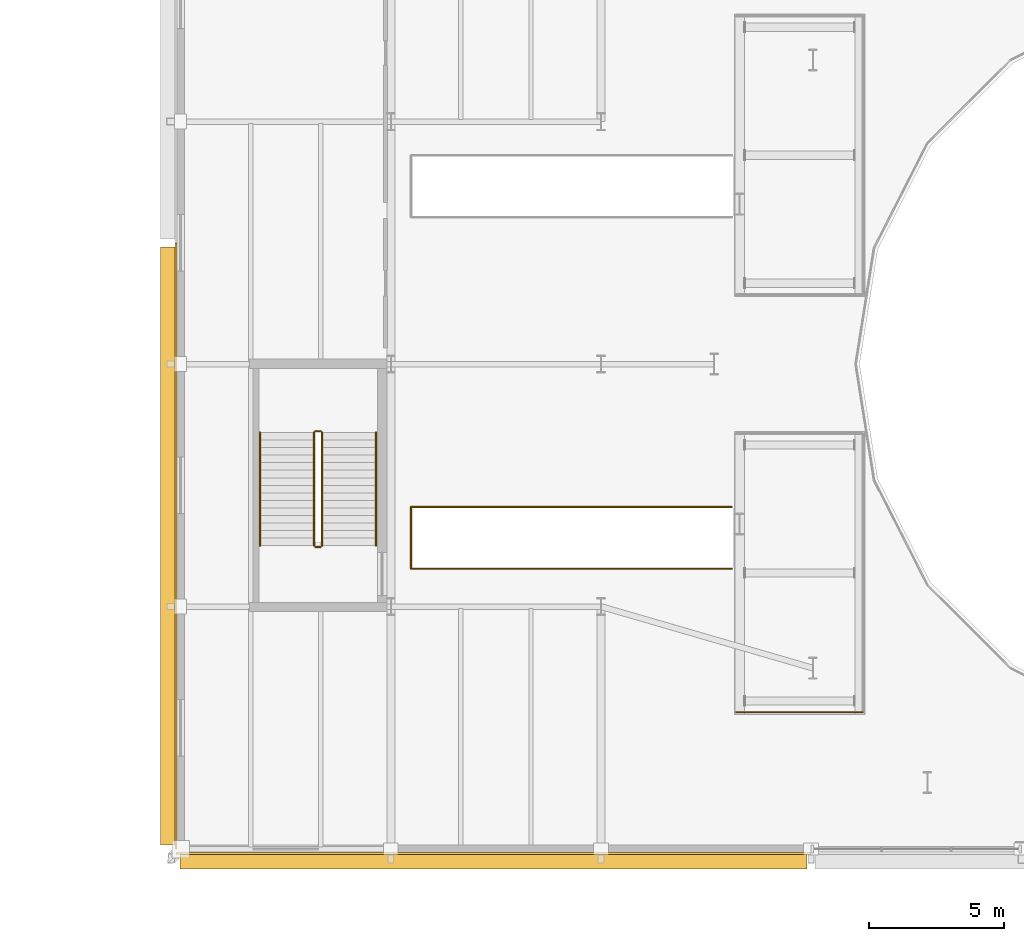
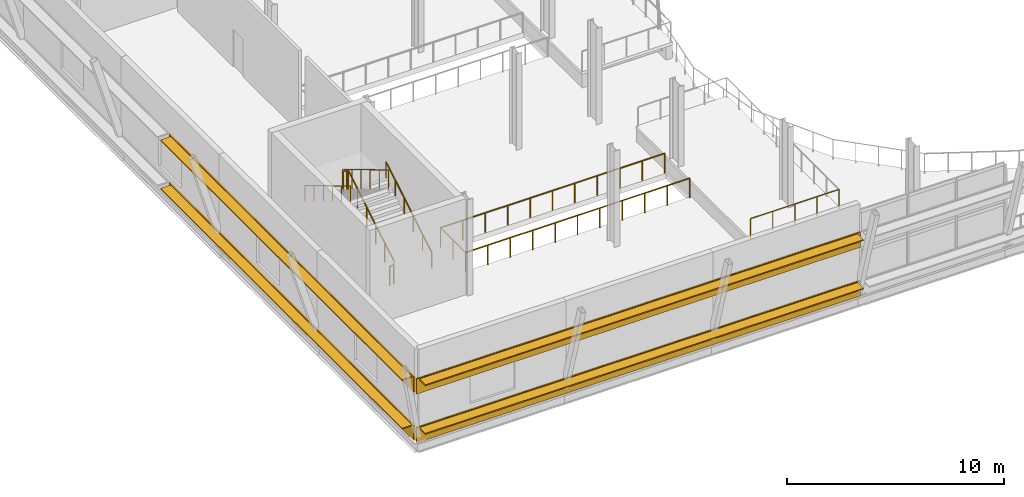
# One storey, part 62 of 78: 10 railings, 4 coverings, 4 shading devices.
"""IFC4 building model written with IfcOpenShell, lengths in metres."""

from ifc_helpers import new_model, si_unit, direction, frame, origin, origin_2d, place, context, subcontext, project, spatial, rectangle, circle, extrude, material, layer, layer_set, type_object, element, save


model = new_model("IFC4")

# Units and contexts
model_context = context("Model", 3, precision=1e-05, world=origin(), true_north=direction((0.0, 1.0)))
body_context = subcontext(model_context, "Body", "Model", "MODEL_VIEW")
ifc_project = project(units=[si_unit("LENGTHUNIT", "METRE"), si_unit("AREAUNIT", "SQUARE_METRE"), si_unit("VOLUMEUNIT", "CUBIC_METRE"), si_unit("PLANEANGLEUNIT", "RADIAN"), si_unit("MASSUNIT", "GRAM", prefix="KILO")], contexts=[model_context])

# Site, building, storey
site_placement = place(None, origin())
site = spatial("IfcSite", under=ifc_project, at=site_placement, CompositionType="ELEMENT")
building_placement = place(site_placement, origin())
building = spatial("IfcBuilding", under=site, at=building_placement, Name="Sefraquen Railside Congress Hotel", CompositionType="ELEMENT")
storey_placement = place(building_placement, frame((0.0, 0.0, 6.0)))
storey = spatial("IfcBuildingStorey", under=building, at=storey_placement, Name="L01", CompositionType="ELEMENT", Elevation=6.0)

# Coverings
ifc_material_1 = material(Name="Patinated architectural bronze", Category="metal")
ifc_layer_1 = layer(ifc_material_1, 0.080078125)
ifc_layer_set_1 = layer_set([ifc_layer_1], Name="Patinated architectural bronze")
covering_type = type_object("IfcCoveringType", Name="TCV-CLAD-01", PredefinedType="CLADDING", material=ifc_layer_set_1)
covering_1_placement = place(storey_placement, frame((36.81494140625, 8.830078125, -0.10498046875), z_axis=(0.0, 0.0, 1.0), x_axis=(1.0, 0.0, 0.0)))
element("IfcCovering", 1, at=covering_1_placement, inside=storey, type_object=covering_type, Name="Congress horizontal bronze cladding band L01-S1", PredefinedType="CLADDING", context=body_context, shape_type="SweptSolid", body=[
    extrude(rectangle(XDim=23.570068359375, YDim=0.080078125, at=origin_2d()), origin(), (0.0, 0.0, 1.0), 0.85009765625),
])
covering_2_placement = place(storey_placement, frame((25.030029296875, 20.25, -0.10498046875), z_axis=(0.0, 0.0, 1.0), x_axis=(1.0, 0.0, 0.0)))
element("IfcCovering", 2, at=covering_2_placement, inside=storey, type_object=covering_type, Name="Congress horizontal bronze cladding band L01-W1", PredefinedType="CLADDING", context=body_context, shape_type="SweptSolid", body=[
    extrude(rectangle(XDim=0.080078125, YDim=22.5, at=origin_2d()), origin(), (0.0, 0.0, 1.0), 0.85009765625),
])
covering_3_placement = place(storey_placement, frame((36.81494140625, 8.830078125, 2.625), z_axis=(0.0, 0.0, 1.0), x_axis=(1.0, 0.0, 0.0)))
element("IfcCovering", 3, at=covering_3_placement, inside=storey, type_object=covering_type, Name="Congress horizontal bronze cladding band L01-S1-B", PredefinedType="CLADDING", context=body_context, shape_type="SweptSolid", body=[
    extrude(rectangle(XDim=23.570068359375, YDim=0.080078125, at=origin_2d()), origin(), (0.0, 0.0, 1.0), 0.85009765625),
])
covering_4_placement = place(storey_placement, frame((25.030029296875, 20.25, 2.625), z_axis=(0.0, 0.0, 1.0), x_axis=(1.0, 0.0, 0.0)))
element("IfcCovering", 4, at=covering_4_placement, inside=storey, type_object=covering_type, Name="Congress horizontal bronze cladding band L01-W1-B", PredefinedType="CLADDING", context=body_context, shape_type="SweptSolid", body=[
    extrude(rectangle(XDim=0.080078125, YDim=22.5, at=origin_2d()), origin(), (0.0, 0.0, 1.0), 0.85009765625),
])

# Railings
ifc_material_2 = material(Name="Patinated wrought architectural bronze", Category="metal")
railing_type_1 = type_object("IfcRailingType", Name="TRL-BAL-110", PredefinedType="BALUSTRADE", material=ifc_material_2)
railing_1_placement = place(storey_placement, frame((45.64990234375, 19.39990234375, 0.0)))
element("IfcRailing", 5, at=railing_1_placement, inside=storey, type_object=railing_type_1, Name="Congress Vomitory 1 well perimeter guard", PredefinedType="BALUSTRADE", context=body_context, shape_type="SweptSolid", body=[
    extrude(circle(Radius=0.02392578125, at=origin_2d()), frame((0.0, 0.0, 1.09619140625), z_axis=(-1.0, 0.0, 0.0), x_axis=(0.0, -1.0, 0.0)), (0.0, 0.0, 1.0), 11.89990234375),
    extrude(circle(Radius=0.02099609375, at=origin_2d()), origin(), (0.0, 0.0, 1.0), 1.072021484375),
    extrude(circle(Radius=0.02099609375, at=origin_2d()), frame((-1.18994140625, 0.0, 0.0)), (0.0, 0.0, 1.0), 1.072021484375),
    extrude(circle(Radius=0.02099609375, at=origin_2d()), frame((-2.3798828125, 0.0, 0.0)), (0.0, 0.0, 1.0), 1.072021484375),
    extrude(circle(Radius=0.02099609375, at=origin_2d()), frame((-3.570068359375, 0.0, 0.0)), (0.0, 0.0, 1.0), 1.072021484375),
    extrude(circle(Radius=0.02099609375, at=origin_2d()), frame((-4.760009765625, 0.0, 0.0)), (0.0, 0.0, 1.0), 1.072021484375),
    extrude(circle(Radius=0.02099609375, at=origin_2d()), frame((-5.949951171875, 0.0, 0.0)), (0.0, 0.0, 1.0), 1.072021484375),
    extrude(circle(Radius=0.02099609375, at=origin_2d()), frame((-7.139892578125, 0.0, 0.0)), (0.0, 0.0, 1.0), 1.072021484375),
    extrude(circle(Radius=0.02099609375, at=origin_2d()), frame((-8.329833984375, 0.0, 0.0)), (0.0, 0.0, 1.0), 1.072021484375),
    extrude(circle(Radius=0.02099609375, at=origin_2d()), frame((-9.52001953125, 0.0, 0.0)), (0.0, 0.0, 1.0), 1.072021484375),
    extrude(circle(Radius=0.02099609375, at=origin_2d()), frame((-10.7099609375, 0.0, 0.0)), (0.0, 0.0, 1.0), 1.072021484375),
    extrude(circle(Radius=0.02099609375, at=origin_2d()), frame((-11.89990234375, 0.0, 0.0)), (0.0, 0.0, 1.0), 1.072021484375),
])
railing_2_placement = place(storey_placement, frame((33.75, 19.39990234375, 0.0)))
element("IfcRailing", 6, at=railing_2_placement, inside=storey, type_object=railing_type_1, Name="Congress Vomitory 1 well perimeter guard", PredefinedType="BALUSTRADE", context=body_context, shape_type="SweptSolid", body=[
    extrude(circle(Radius=0.02392578125, at=origin_2d()), frame((0.0, 0.0, 1.09619140625), z_axis=(0.0, 1.0, 0.0), x_axis=(-1.0, 0.0, 0.0)), (0.0, 0.0, 1.0), 2.300048828125),
    extrude(circle(Radius=0.02099609375, at=origin_2d()), origin(), (0.0, 0.0, 1.0), 1.072021484375),
    extrude(circle(Radius=0.02099609375, at=origin_2d()), frame((0.0, 1.14990234375, 0.0)), (0.0, 0.0, 1.0), 1.072021484375),
    extrude(circle(Radius=0.02099609375, at=origin_2d()), frame((0.0, 2.300048828125, 0.0)), (0.0, 0.0, 1.0), 1.072021484375),
])
railing_3_placement = place(storey_placement, frame((33.75, 21.699951171875, 0.0)))
element("IfcRailing", 7, at=railing_3_placement, inside=storey, type_object=railing_type_1, Name="Congress Vomitory 1 well perimeter guard", PredefinedType="BALUSTRADE", context=body_context, shape_type="SweptSolid", body=[
    extrude(circle(Radius=0.02392578125, at=origin_2d()), frame((0.0, 0.0, 1.09619140625), z_axis=(1.0, 0.0, 0.0), x_axis=(0.0, 1.0, 0.0)), (0.0, 0.0, 1.0), 11.89990234375),
    extrude(circle(Radius=0.02099609375, at=origin_2d()), origin(), (0.0, 0.0, 1.0), 1.072021484375),
    extrude(circle(Radius=0.02099609375, at=origin_2d()), frame((1.18994140625, 0.0, 0.0)), (0.0, 0.0, 1.0), 1.072021484375),
    extrude(circle(Radius=0.02099609375, at=origin_2d()), frame((2.3798828125, 0.0, 0.0)), (0.0, 0.0, 1.0), 1.072021484375),
    extrude(circle(Radius=0.02099609375, at=origin_2d()), frame((3.570068359375, 0.0, 0.0)), (0.0, 0.0, 1.0), 1.072021484375),
    extrude(circle(Radius=0.02099609375, at=origin_2d()), frame((4.760009765625, 0.0, 0.0)), (0.0, 0.0, 1.0), 1.072021484375),
    extrude(circle(Radius=0.02099609375, at=origin_2d()), frame((5.949951171875, 0.0, 0.0)), (0.0, 0.0, 1.0), 1.072021484375),
    extrude(circle(Radius=0.02099609375, at=origin_2d()), frame((7.139892578125, 0.0, 0.0)), (0.0, 0.0, 1.0), 1.072021484375),
    extrude(circle(Radius=0.02099609375, at=origin_2d()), frame((8.329833984375, 0.0, 0.0)), (0.0, 0.0, 1.0), 1.072021484375),
    extrude(circle(Radius=0.02099609375, at=origin_2d()), frame((9.52001953125, 0.0, 0.0)), (0.0, 0.0, 1.0), 1.072021484375),
    extrude(circle(Radius=0.02099609375, at=origin_2d()), frame((10.7099609375, 0.0, 0.0)), (0.0, 0.0, 1.0), 1.072021484375),
    extrude(circle(Radius=0.02099609375, at=origin_2d()), frame((11.89990234375, 0.0, 0.0)), (0.0, 0.0, 1.0), 1.072021484375),
])
railing_4_placement = place(storey_placement, frame((45.820068359375, 14.080078125, 0.89990234375)))
element("IfcRailing", 8, at=railing_4_placement, inside=storey, type_object=railing_type_1, Name="Congress balcony tier 1 front guard", PredefinedType="BALUSTRADE", context=body_context, shape_type="SweptSolid", body=[
    extrude(circle(Radius=0.02392578125, at=origin_2d()), frame((0.0, 0.0, 1.09619140625), z_axis=(1.0, 0.0, 0.0), x_axis=(0.0, 1.0, 0.0)), (0.0, 0.0, 1.0), 4.699951171875),
    extrude(circle(Radius=0.02099609375, at=origin_2d()), origin(), (0.0, 0.0, 1.0), 1.072021484375),
    extrude(circle(Radius=0.02099609375, at=origin_2d()), frame((1.175048828125, 0.0, 0.0)), (0.0, 0.0, 1.0), 1.072021484375),
    extrude(circle(Radius=0.02099609375, at=origin_2d()), frame((2.35009765625, 0.0, 0.0)), (0.0, 0.0, 1.0), 1.072021484375),
    extrude(circle(Radius=0.02099609375, at=origin_2d()), frame((3.52490234375, 0.0, 0.0)), (0.0, 0.0, 1.0), 1.072021484375),
    extrude(circle(Radius=0.02099609375, at=origin_2d()), frame((4.699951171875, 0.0, 0.0)), (0.0, 0.0, 1.0), 1.072021484375),
])
railing_5_placement = place(storey_placement, frame((30.449951171875, 20.260009765625, 0.168701171875)))
element("IfcRailing", 9, at=railing_5_placement, inside=storey, type_object=railing_type_1, Name="L01 ST-C01 stair guard 1", PredefinedType="BALUSTRADE", context=body_context, shape_type="SweptSolid", body=[
    extrude(circle(Radius=0.02392578125, at=origin_2d()), frame((0.0, 0.0, 1.076171875), z_axis=(0.0, 0.856476492594, 0.516186030065), x_axis=(-1.0, 0.0, 0.0)), (0.0, 0.0, 1.0), 4.90380859375),
    extrude(circle(Radius=0.02099609375, at=origin_2d()), origin(), (0.0, 0.0, 1.0), 1.052001953125),
    extrude(circle(Radius=0.02099609375, at=origin_2d()), frame((0.0, 0.840087890625, 0.50634765625)), (0.0, 0.0, 1.0), 1.052001953125),
    extrude(circle(Radius=0.02099609375, at=origin_2d()), frame((0.0, 1.679931640625, 1.012451171875)), (0.0, 0.0, 1.0), 1.052001953125),
    extrude(circle(Radius=0.02099609375, at=origin_2d()), frame((0.0, 2.52001953125, 1.518798828125)), (0.0, 0.0, 1.0), 1.052001953125),
    extrude(circle(Radius=0.02099609375, at=origin_2d()), frame((0.0, 3.35986328125, 2.02490234375)), (0.0, 0.0, 1.0), 1.052001953125),
    extrude(circle(Radius=0.02099609375, at=origin_2d()), frame((0.0, 4.199951171875, 2.53125)), (0.0, 0.0, 1.0), 1.052001953125),
])
railing_6_placement = place(storey_placement, frame((30.39990234375, 24.510009765625, 2.699951171875)))
element("IfcRailing", 10, at=railing_6_placement, inside=storey, type_object=railing_type_1, Name="L01 ST-C01 stair guard 2", PredefinedType="BALUSTRADE", context=body_context, shape_type="SweptSolid", body=[
    extrude(circle(Radius=0.02392578125, at=origin_2d()), frame((0.0, 0.0, 1.076171875), z_axis=(-1.0, 0.0, 0.0), x_axis=(0.0, -1.0, 0.0)), (0.0, 0.0, 1.0), 0.199951171875),
    extrude(circle(Radius=0.02099609375, at=origin_2d()), origin(), (0.0, 0.0, 1.0), 1.052001953125),
    extrude(circle(Radius=0.02099609375, at=origin_2d()), frame((-0.199951171875, 0.0, 0.0)), (0.0, 0.0, 1.0), 1.052001953125),
])
railing_7_placement = place(storey_placement, frame((30.14990234375, 24.4599609375, 2.86865234375)))
element("IfcRailing", 11, at=railing_7_placement, inside=storey, type_object=railing_type_1, Name="L01 ST-C01 stair guard 3", PredefinedType="BALUSTRADE", context=body_context, shape_type="SweptSolid", body=[
    extrude(circle(Radius=0.02392578125, at=origin_2d()), frame((0.0, 0.0, 1.076171875), z_axis=(0.0, -0.856476492594, 0.516186030065), x_axis=(1.0, 0.0, 0.0)), (0.0, 0.0, 1.0), 4.90380859375),
    extrude(circle(Radius=0.02099609375, at=origin_2d()), origin(), (0.0, 0.0, 1.0), 1.052001953125),
    extrude(circle(Radius=0.02099609375, at=origin_2d()), frame((0.0, -0.840087890625, 0.50634765625)), (0.0, 0.0, 1.0), 1.052001953125),
    extrude(circle(Radius=0.02099609375, at=origin_2d()), frame((0.0, -1.679931640625, 1.012451171875)), (0.0, 0.0, 1.0), 1.052001953125),
    extrude(circle(Radius=0.02099609375, at=origin_2d()), frame((0.0, -2.52001953125, 1.518798828125)), (0.0, 0.0, 1.0), 1.052001953125),
    extrude(circle(Radius=0.02099609375, at=origin_2d()), frame((0.0, -3.35986328125, 2.02490234375)), (0.0, 0.0, 1.0), 1.052001953125),
    extrude(circle(Radius=0.02099609375, at=origin_2d()), frame((0.0, -4.199951171875, 2.53125)), (0.0, 0.0, 1.0), 1.052001953125),
])
railing_8_placement = place(storey_placement, frame((30.39990234375, 20.2099609375, 0.0)))
element("IfcRailing", 12, at=railing_8_placement, inside=storey, type_object=railing_type_1, Name="L01 ST-C01 stair guard 4", PredefinedType="BALUSTRADE", context=body_context, shape_type="SweptSolid", body=[
    extrude(circle(Radius=0.02392578125, at=origin_2d()), frame((0.0, 0.0, 1.076171875), z_axis=(-1.0, 0.0, 0.0), x_axis=(0.0, -1.0, 0.0)), (0.0, 0.0, 1.0), 0.199951171875),
    extrude(circle(Radius=0.02099609375, at=origin_2d()), origin(), (0.0, 0.0, 1.0), 1.052001953125),
    extrude(circle(Radius=0.02099609375, at=origin_2d()), frame((-0.199951171875, 0.0, 0.0)), (0.0, 0.0, 1.0), 1.052001953125),
])
railing_type_2 = type_object("IfcRailingType", Name="TRL-HR-090", PredefinedType="HANDRAIL", material=ifc_material_2)
railing_9_placement = place(storey_placement, frame((32.449951171875, 20.260009765625, 0.168701171875)))
element("IfcRailing", 13, at=railing_9_placement, inside=storey, type_object=railing_type_2, Name="L01 ST-C01 stair handrail 1", PredefinedType="HANDRAIL", context=body_context, shape_type="SweptSolid", body=[
    extrude(circle(Radius=0.02392578125, at=origin_2d()), frame((0.0, 0.0, 0.8759765625), z_axis=(0.0, 0.856476492594, 0.516186030065), x_axis=(-1.0, 0.0, 0.0)), (0.0, 0.0, 1.0), 4.90380859375),
    extrude(circle(Radius=0.02099609375, at=origin_2d()), origin(), (0.0, 0.0, 1.0), 0.851806640625),
    extrude(circle(Radius=0.02099609375, at=origin_2d()), frame((0.0, 0.840087890625, 0.50634765625)), (0.0, 0.0, 1.0), 0.851806640625),
    extrude(circle(Radius=0.02099609375, at=origin_2d()), frame((0.0, 1.679931640625, 1.012451171875)), (0.0, 0.0, 1.0), 0.851806640625),
    extrude(circle(Radius=0.02099609375, at=origin_2d()), frame((0.0, 2.52001953125, 1.518798828125)), (0.0, 0.0, 1.0), 0.851806640625),
    extrude(circle(Radius=0.02099609375, at=origin_2d()), frame((0.0, 3.35986328125, 2.02490234375)), (0.0, 0.0, 1.0), 0.851806640625),
    extrude(circle(Radius=0.02099609375, at=origin_2d()), frame((0.0, 4.199951171875, 2.53125)), (0.0, 0.0, 1.0), 0.851806640625),
])
railing_10_placement = place(storey_placement, frame((28.14990234375, 24.4599609375, 2.86865234375)))
element("IfcRailing", 14, at=railing_10_placement, inside=storey, type_object=railing_type_2, Name="L01 ST-C01 stair handrail 2", PredefinedType="HANDRAIL", context=body_context, shape_type="SweptSolid", body=[
    extrude(circle(Radius=0.02392578125, at=origin_2d()), frame((0.0, 0.0, 0.8759765625), z_axis=(0.0, -0.856476492594, 0.516186030065), x_axis=(1.0, 0.0, 0.0)), (0.0, 0.0, 1.0), 4.90380859375),
    extrude(circle(Radius=0.02099609375, at=origin_2d()), origin(), (0.0, 0.0, 1.0), 0.851806640625),
    extrude(circle(Radius=0.02099609375, at=origin_2d()), frame((0.0, -0.840087890625, 0.50634765625)), (0.0, 0.0, 1.0), 0.851806640625),
    extrude(circle(Radius=0.02099609375, at=origin_2d()), frame((0.0, -1.679931640625, 1.012451171875)), (0.0, 0.0, 1.0), 0.851806640625),
    extrude(circle(Radius=0.02099609375, at=origin_2d()), frame((0.0, -2.52001953125, 1.518798828125)), (0.0, 0.0, 1.0), 0.851806640625),
    extrude(circle(Radius=0.02099609375, at=origin_2d()), frame((0.0, -3.35986328125, 2.02490234375)), (0.0, 0.0, 1.0), 0.851806640625),
    extrude(circle(Radius=0.02099609375, at=origin_2d()), frame((0.0, -4.199951171875, 2.53125)), (0.0, 0.0, 1.0), 0.851806640625),
])

# Shading devices
ifc_layer_2 = layer(ifc_material_1, 0.06005859375)
ifc_layer_set_2 = layer_set([ifc_layer_2], Name="Patinated architectural bronze")
shading_device_type = type_object("IfcShadingDeviceType", Name="TSH-BS-01", PredefinedType="USERDEFINED", material=ifc_layer_set_2)
shading_device_1_placement = place(storey_placement, frame((36.81494140625, 8.530029296875, 0.639892578125), z_axis=(0.0, 0.0, 1.0), x_axis=(1.0, 0.0, 0.0)))
element("IfcShadingDevice", 15, at=shading_device_1_placement, inside=storey, type_object=shading_device_type, Name="Congress horizontal brise-soleil L01-S1", ObjectType="BRISE SOLEIL", PredefinedType="USERDEFINED", context=body_context, shape_type="SweptSolid", body=[
    extrude(rectangle(XDim=23.27001953125, YDim=0.550048828125, at=origin_2d()), origin(), (0.0, 0.0, 1.0), 0.06005859375),
])
shading_device_2_placement = place(storey_placement, frame((24.72998046875, 20.25, 0.639892578125), z_axis=(0.0, 0.0, 1.0), x_axis=(1.0, 0.0, 0.0)))
element("IfcShadingDevice", 16, at=shading_device_2_placement, inside=storey, type_object=shading_device_type, Name="Congress west sun-shading louvre L01-W1", ObjectType="BRISE SOLEIL", PredefinedType="USERDEFINED", context=body_context, shape_type="SweptSolid", body=[
    extrude(rectangle(XDim=0.550048828125, YDim=22.199951171875, at=origin_2d()), origin(), (0.0, 0.0, 1.0), 0.06005859375),
])
shading_device_3_placement = place(storey_placement, frame((36.81494140625, 8.530029296875, 3.369873046875), z_axis=(0.0, 0.0, 1.0), x_axis=(1.0, 0.0, 0.0)))
element("IfcShadingDevice", 17, at=shading_device_3_placement, inside=storey, type_object=shading_device_type, Name="Congress horizontal brise-soleil L01-S1-B", ObjectType="BRISE SOLEIL", PredefinedType="USERDEFINED", context=body_context, shape_type="SweptSolid", body=[
    extrude(rectangle(XDim=23.27001953125, YDim=0.550048828125, at=origin_2d()), origin(), (0.0, 0.0, 1.0), 0.06005859375),
])
shading_device_4_placement = place(storey_placement, frame((24.72998046875, 20.25, 3.369873046875), z_axis=(0.0, 0.0, 1.0), x_axis=(1.0, 0.0, 0.0)))
element("IfcShadingDevice", 18, at=shading_device_4_placement, inside=storey, type_object=shading_device_type, Name="Congress west sun-shading louvre L01-W1-B", ObjectType="BRISE SOLEIL", PredefinedType="USERDEFINED", context=body_context, shape_type="SweptSolid", body=[
    extrude(rectangle(XDim=0.550048828125, YDim=22.199951171875, at=origin_2d()), origin(), (0.0, 0.0, 1.0), 0.06005859375),
])

save(model, "model.ifc")
